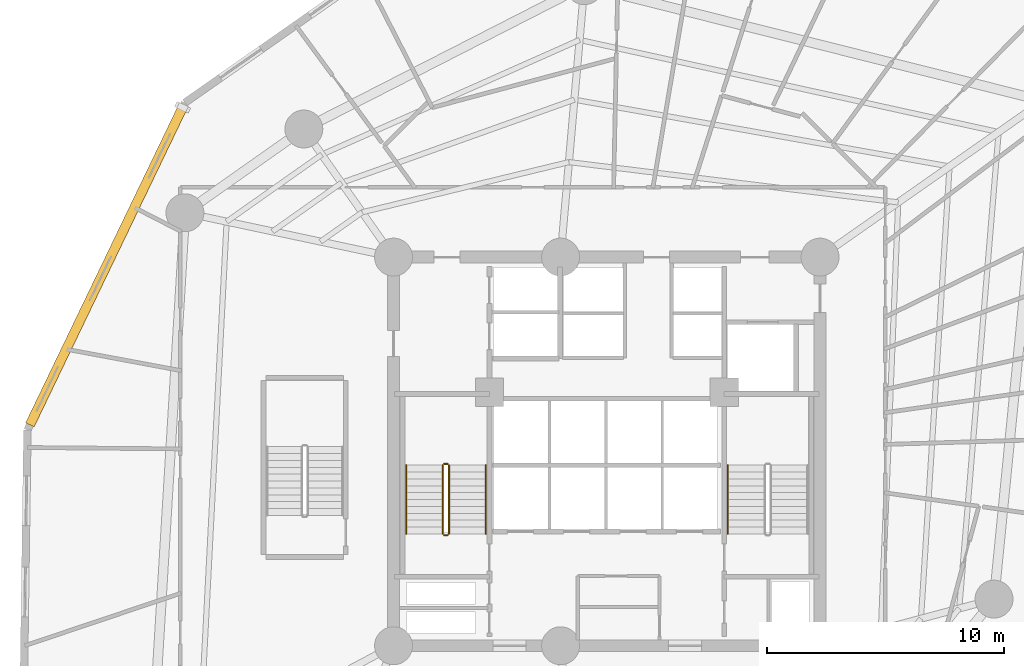
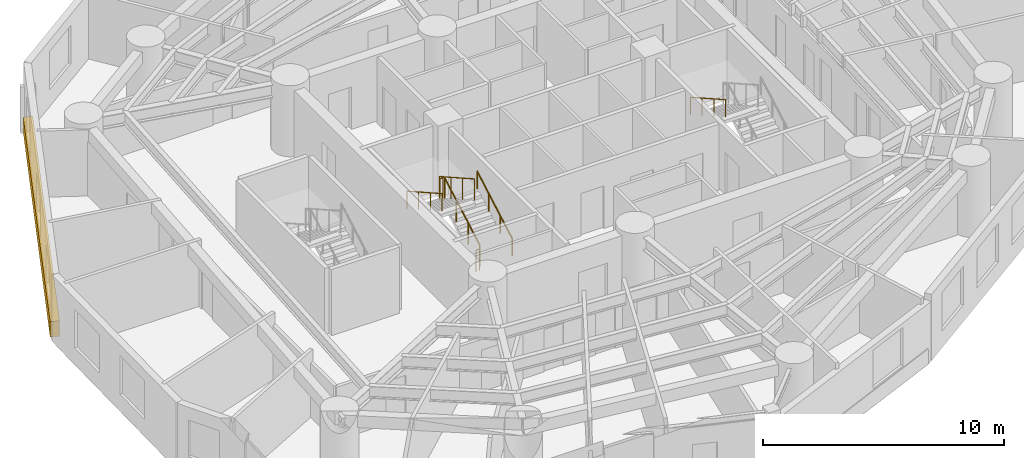
# One storey, part 9 of 11: 7 railings, 1 covering.
"""IFC4 building model written with IfcOpenShell, lengths in metres."""

from ifc_helpers import new_model, si_unit, direction, frame, origin, origin_with_axes, origin_2d, place, context, subcontext, project, spatial, rectangle, circle, extrude, source, transform, mapped, material, layer, layer_set, type_object, element, save


model = new_model("IFC4")

# Units and contexts
model_context = context("Model", 3, precision=1e-05, world=origin(), true_north=direction((0.0, 1.0)))
body_context = subcontext(model_context, "Body", "Model", "MODEL_VIEW")
ifc_project = project(units=[si_unit("LENGTHUNIT", "METRE"), si_unit("AREAUNIT", "SQUARE_METRE"), si_unit("VOLUMEUNIT", "CUBIC_METRE"), si_unit("PLANEANGLEUNIT", "RADIAN"), si_unit("MASSUNIT", "GRAM", prefix="KILO")], contexts=[model_context])

# Site, building, storey
site_placement = place(None, origin())
site = spatial("IfcSite", under=ifc_project, at=site_placement, CompositionType="ELEMENT")
building_placement = place(site_placement, origin())
building = spatial("IfcBuilding", under=site, at=building_placement, Name="Karkom Vertical University and Central Library", CompositionType="ELEMENT")
storey_placement = place(building_placement, frame((0.0, 0.0, 44.5)))
storey = spatial("IfcBuildingStorey", under=building, at=storey_placement, Name="L11", CompositionType="ELEMENT", Elevation=44.5)

# Railings
ifc_material_1 = material(Name="Painted galvanised steel balustrade", Category="steel")
ifc_layer_1 = layer(ifc_material_1, 0.06005859375)
ifc_layer_set_1 = layer_set([ifc_layer_1], Name="Painted galvanised steel balustrade")
railing_type_1 = type_object("IfcRailingType", Name="INT-RL-GUARD1100", PredefinedType="GUARDRAIL", material=ifc_layer_set_1)
railing_1_placement = place(storey_placement, frame((21.840087890625, 23.02001953125, 0.16357421875)))
element("IfcRailing", 1, at=railing_1_placement, inside=storey, type_object=railing_type_1, Name="Level 11 ST-1 stair guard 1", PredefinedType="GUARDRAIL", context=body_context, shape_type="SweptSolid", body=[
    extrude(circle(Radius=0.02392578125, at=origin_2d()), frame((0.0, 0.0, 1.076171875), z_axis=(0.0, 0.870897200241, 0.491465224214), x_axis=(-1.0, 0.0, 0.0)), (0.0, 0.0, 1.0), 3.329833984375),
    extrude(circle(Radius=0.02099609375, at=origin_2d()), origin(), (0.0, 0.0, 1.0), 1.052001953125),
    extrude(circle(Radius=0.02099609375, at=origin_2d()), frame((0.0, 0.966552734375, 0.54541015625)), (0.0, 0.0, 1.0), 1.052001953125),
    extrude(circle(Radius=0.02099609375, at=origin_2d()), frame((0.0, 1.933349609375, 1.091064453125)), (0.0, 0.0, 1.0), 1.052001953125),
    extrude(circle(Radius=0.02099609375, at=origin_2d()), frame((0.0, 2.89990234375, 1.636474609375)), (0.0, 0.0, 1.0), 1.052001953125),
])
railing_2_placement = place(storey_placement, frame((21.7900390625, 25.969970703125, 1.800048828125)))
element("IfcRailing", 2, at=railing_2_placement, inside=storey, type_object=railing_type_1, Name="Level 11 ST-1 stair guard 2", PredefinedType="GUARDRAIL", context=body_context, shape_type="SweptSolid", body=[
    extrude(circle(Radius=0.02392578125, at=origin_2d()), frame((0.0, 0.0, 1.076171875), z_axis=(-1.0, 0.0, 0.0), x_axis=(0.0, -1.0, 0.0)), (0.0, 0.0, 1.0), 0.16015625),
    extrude(circle(Radius=0.02099609375, at=origin_2d()), origin(), (0.0, 0.0, 1.0), 1.052001953125),
    extrude(circle(Radius=0.02099609375, at=origin_2d()), frame((-0.16015625, 0.0, 0.0)), (0.0, 0.0, 1.0), 1.052001953125),
])
railing_3_placement = place(storey_placement, frame((21.580078125, 25.919921875, 1.963623046875)))
element("IfcRailing", 3, at=railing_3_placement, inside=storey, type_object=railing_type_1, Name="Level 11 ST-1 stair guard 3", PredefinedType="GUARDRAIL", context=body_context, shape_type="SweptSolid", body=[
    extrude(circle(Radius=0.02392578125, at=origin_2d()), frame((0.0, 0.0, 1.076171875), z_axis=(0.0, -0.870897200241, 0.491465224214), x_axis=(1.0, 0.0, 0.0)), (0.0, 0.0, 1.0), 3.329833984375),
    extrude(circle(Radius=0.02099609375, at=origin_2d()), origin(), (0.0, 0.0, 1.0), 1.052001953125),
    extrude(circle(Radius=0.02099609375, at=origin_2d()), frame((0.0, -0.966552734375, 0.54541015625)), (0.0, 0.0, 1.0), 1.052001953125),
    extrude(circle(Radius=0.02099609375, at=origin_2d()), frame((0.0, -1.933349609375, 1.091064453125)), (0.0, 0.0, 1.0), 1.052001953125),
    extrude(circle(Radius=0.02099609375, at=origin_2d()), frame((0.0, -2.89990234375, 1.636474609375)), (0.0, 0.0, 1.0), 1.052001953125),
])
railing_4_placement = place(storey_placement, frame((21.7900390625, 22.969970703125, 0.0)))
element("IfcRailing", 4, at=railing_4_placement, inside=storey, type_object=railing_type_1, Name="Level 11 ST-1 stair guard 4", PredefinedType="GUARDRAIL", context=body_context, shape_type="SweptSolid", body=[
    extrude(circle(Radius=0.02392578125, at=origin_2d()), frame((0.0, 0.0, 1.076171875), z_axis=(-1.0, 0.0, 0.0), x_axis=(0.0, -1.0, 0.0)), (0.0, 0.0, 1.0), 0.16015625),
    extrude(circle(Radius=0.02099609375, at=origin_2d()), origin(), (0.0, 0.0, 1.0), 1.052001953125),
    extrude(circle(Radius=0.02099609375, at=origin_2d()), frame((-0.16015625, 0.0, 0.0)), (0.0, 0.0, 1.0), 1.052001953125),
])
ifc_material_2 = material(Name="Brushed stainless-steel tubular handrail", Category="steel")
ifc_layer_2 = layer(ifc_material_2, 0.048095703125)
ifc_layer_set_2 = layer_set([ifc_layer_2], Name="Brushed stainless-steel tubular handrail")
railing_type_2 = type_object("IfcRailingType", Name="INT-RL-HAND920", PredefinedType="HANDRAIL", material=ifc_layer_set_2)
railing_5_placement = place(storey_placement, frame((23.389892578125, 23.02001953125, 0.16357421875)))
element("IfcRailing", 5, at=railing_5_placement, inside=storey, type_object=railing_type_2, Name="Level 11 ST-1 stair handrail 1", PredefinedType="HANDRAIL", context=body_context, shape_type="SweptSolid", body=[
    extrude(circle(Radius=0.02392578125, at=origin_2d()), frame((0.0, 0.0, 0.8759765625), z_axis=(0.0, 0.870897200241, 0.491465224214), x_axis=(-1.0, 0.0, 0.0)), (0.0, 0.0, 1.0), 3.329833984375),
    extrude(circle(Radius=0.02099609375, at=origin_2d()), origin(), (0.0, 0.0, 1.0), 0.851806640625),
    extrude(circle(Radius=0.02099609375, at=origin_2d()), frame((0.0, 0.966552734375, 0.54541015625)), (0.0, 0.0, 1.0), 0.851806640625),
    extrude(circle(Radius=0.02099609375, at=origin_2d()), frame((0.0, 1.933349609375, 1.091064453125)), (0.0, 0.0, 1.0), 0.851806640625),
    extrude(circle(Radius=0.02099609375, at=origin_2d()), frame((0.0, 2.89990234375, 1.636474609375)), (0.0, 0.0, 1.0), 0.851806640625),
])
for number, where, name in (
    (6, (20.030029296875, 25.919921875, 1.963623046875), "Level 11 ST-1 stair handrail 2"),
    (7, (33.610107421875, 25.919921875, 1.963623046875), "Level 11 ST-2 stair handrail 2"),
):
    element("IfcRailing", number, at=place(storey_placement, frame(where)), inside=storey, type_object=railing_type_2, Name=name, PredefinedType="HANDRAIL", context=body_context, shape_type="SweptSolid", body=[
        extrude(circle(Radius=0.02392578125, at=origin_2d()), frame((0.0, 0.0, 0.8759765625), z_axis=(0.0, -0.870897200241, 0.491465224214), x_axis=(1.0, 0.0, 0.0)), (0.0, 0.0, 1.0), 3.329833984375),
        extrude(circle(Radius=0.02099609375, at=origin_2d()), origin(), (0.0, 0.0, 1.0), 0.851806640625),
        extrude(circle(Radius=0.02099609375, at=origin_2d()), frame((0.0, -0.966552734375, 0.54541015625)), (0.0, 0.0, 1.0), 0.851806640625),
        extrude(circle(Radius=0.02099609375, at=origin_2d()), frame((0.0, -1.933349609375, 1.091064453125)), (0.0, 0.0, 1.0), 0.851806640625),
        extrude(circle(Radius=0.02099609375, at=origin_2d()), frame((0.0, -2.89990234375, 1.636474609375)), (0.0, 0.0, 1.0), 0.851806640625),
    ])

# Covering
ifc_material_3 = material(Name="Hand-pressed red-ochre terracotta brick slip cladding", Category="masonry")
ifc_layer_3 = layer(ifc_material_3, 0.090087890625)
ifc_layer_set_3 = layer_set([ifc_layer_3], Name="Hand-pressed red-ochre terracotta brick slip cladding")
covering_type = type_object("IfcCoveringType", Name="ENV-COV-CLAD", PredefinedType="CLADDING", material=ifc_layer_set_3)
shared_shape = source(origin_with_axes(), body_context, "Body", "SweptSolid", [
    extrude(rectangle(XDim=14.8369140625, YDim=0.39990234375, at=origin_2d()), origin(), (0.0, 0.0, 1.0), 0.780029296875),
])
covering_placement = place(storey_placement, frame((7.36962890625, 34.307861328125, 0.0), z_axis=(0.0, 0.0, 1.0), x_axis=(-0.433501810375, -0.901152695386, 0.0)))
element("IfcCovering", 8, at=covering_placement, inside=storey, type_object=covering_type, Name="Level 11 Terracotta Spandrel Cladding 01", PredefinedType="CLADDING", context=body_context, shape_type="MappedRepresentation", body=[
    mapped(shared_shape, transform((0.0, 0.0, 0.0), scale=1.0)),
])

save(model, "model.ifc")
